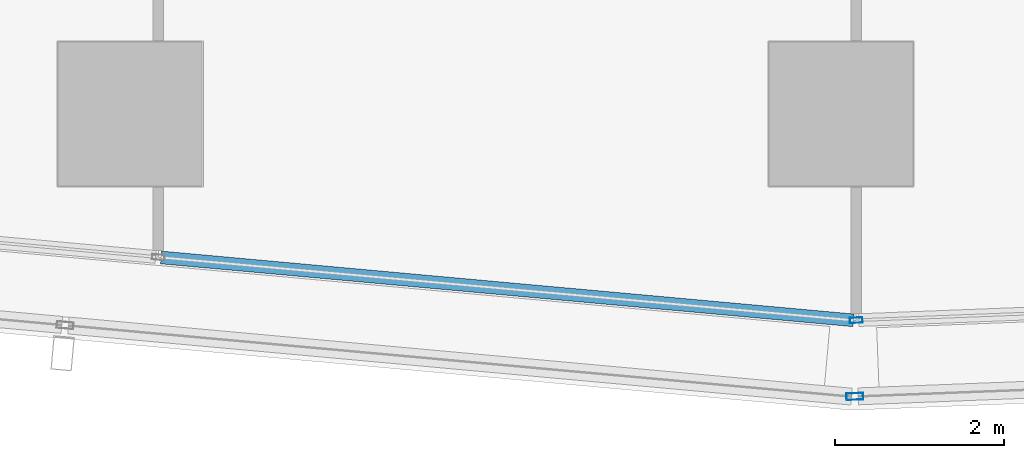
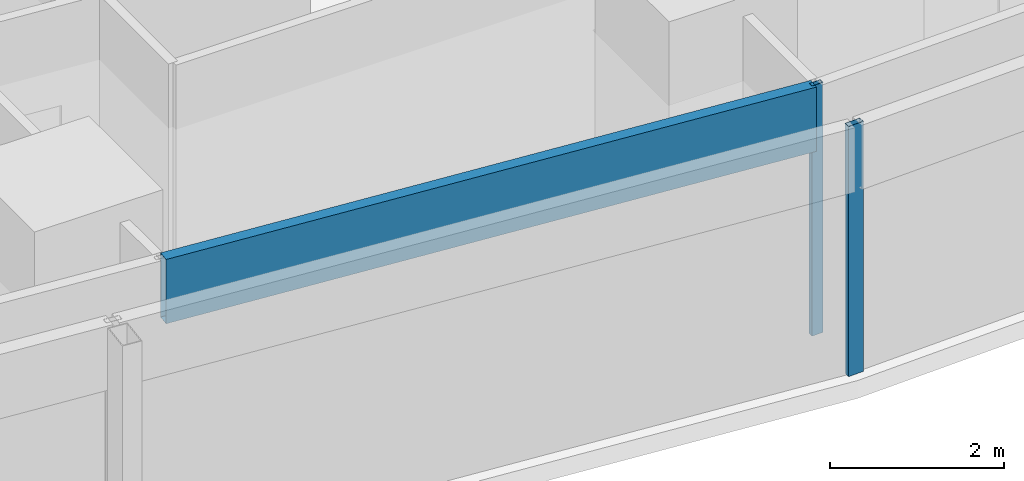
# One storey, part 5 of 40: 3 members, 3 elements without a shape of their own.
"""IFC4 building model written with IfcOpenShell, lengths in metres."""

from ifc_helpers import new_model, si_unit, direction, frame, origin, origin_2d, place, context, subcontext, project, spatial, hollow_rectangle, extrude, material, material_profile, profile_set, type_object, element, aggregate, save


model = new_model("IFC4")

# Units and contexts
model_context = context("Model", 3, precision=1e-05, world=origin(), true_north=direction((0.0, 1.0)))
body_context = subcontext(model_context, "Body", "Model", "MODEL_VIEW")
ifc_project = project(units=[si_unit("LENGTHUNIT", "METRE"), si_unit("AREAUNIT", "SQUARE_METRE"), si_unit("VOLUMEUNIT", "CUBIC_METRE"), si_unit("PLANEANGLEUNIT", "RADIAN"), si_unit("MASSUNIT", "GRAM", prefix="KILO")], contexts=[model_context])

# Site, building, storey
site_placement = place(None, origin())
site = spatial("IfcSite", under=ifc_project, at=site_placement, CompositionType="ELEMENT")
building_placement = place(site_placement, origin())
building = spatial("IfcBuilding", under=site, at=building_placement, Name="Rekha Terrace Tower", CompositionType="ELEMENT")
storey_placement = place(building_placement, frame((0.0, 0.0, 136.550048828125)))
storey = spatial("IfcBuildingStorey", under=building, at=storey_placement, Name="L34", CompositionType="ELEMENT", Elevation=136.550048828125)

# Curtain wall, member
ifc_material_1 = material(Name="Aluminium framing", Category="aluminium")
curtain_wall_type_1 = type_object("IfcCurtainWallType", Name="CW1 double skin inner glazing", PredefinedType="USERDEFINED", material=ifc_material_1)
curtain_wall_1_placement = place(storey_placement, origin())
curtain_wall_1 = element("IfcCurtainWall", 1, at=curtain_wall_1_placement, inside=storey, type_object=curtain_wall_type_1, Name="CW1 double skin inner glazing", ObjectType="DOUBLE SKIN INNER GLAZING", PredefinedType="USERDEFINED")
ifc_material_2 = material(Name="Aluminium mullion section", Category="aluminium")
ifc_material_profile_1 = material_profile(ifc_material_2, hollow_rectangle(XDim=0.06494140625, YDim=0.14990234375, WallThickness=0.00390625, at=origin_2d()), Name="AL RHS 65x150")
ifc_profile_set_1 = profile_set([ifc_material_profile_1], Name="Aluminium mullion section")
member_type_1 = type_object("IfcMemberType", Name="CW1 mullion RHS 65 x 150", PredefinedType="MULLION", material=ifc_profile_set_1)
member_1_placement = place(storey_placement, frame((25.3798828125, 14.363037109375, 0.0), z_axis=(0.0, 0.0, 1.0), x_axis=(-0.038889971345, 0.999243498917, 0.0)))
member_1 = element("IfcMember", 2, at=member_1_placement, type_object=member_type_1, Name="CW1 mullion 1", PredefinedType="MULLION", context=body_context, shape_type="SweptSolid", body=[
    extrude(hollow_rectangle(XDim=0.06494140625, YDim=0.14990234375, WallThickness=0.00390625, at=origin_2d()), origin(), (0.0, 0.0, 1.0), 3.5),
])
aggregate(curtain_wall_1, [member_1])

curtain_wall_2_placement = place(storey_placement, origin())
curtain_wall_2 = element("IfcCurtainWall", 3, at=curtain_wall_2_placement, inside=storey, type_object=curtain_wall_type_1, Name="CW1 double skin inner glazing", ObjectType="DOUBLE SKIN INNER GLAZING", PredefinedType="USERDEFINED")
ifc_material_3 = material(Name="Insulated aluminium spandrel box", Category="aluminium")
ifc_material_profile_2 = material_profile(ifc_material_3, hollow_rectangle(XDim=0.14990234375, YDim=0.89990234375, WallThickness=0.0029296875, at=origin_2d()), Name="AL SPANDREL BOX 150x900")
ifc_profile_set_2 = profile_set([ifc_material_profile_2], Name="Insulated aluminium spandrel box")
member_type_2 = type_object("IfcMemberType", Name="CW1 spandrel transom 150 x 900", PredefinedType="USERDEFINED", material=ifc_profile_set_2)
member_2_placement = place(storey_placement, frame((17.16650390625, 15.104736328125, 3.050048828125), z_axis=(0.995901971759, -0.090439276017, 0.0), x_axis=(0.090439276017, 0.995901971759, 0.0)))
member_2 = element("IfcMember", 4, at=member_2_placement, type_object=member_type_2, Name="CW1 spandrel transom 2", ObjectType="TRANSOM", PredefinedType="USERDEFINED", context=body_context, shape_type="SweptSolid", body=[
    extrude(hollow_rectangle(XDim=0.14990234375, YDim=0.89990234375, WallThickness=0.0029296875, at=origin_2d()), origin(), (0.0, 0.0, 1.0), 8.214599609375),
])
aggregate(curtain_wall_2, [member_2])

curtain_wall_type_2 = type_object("IfcCurtainWallType", Name="CW2 double skin outer glazing", PredefinedType="USERDEFINED", material=ifc_material_1)
curtain_wall_3_placement = place(storey_placement, origin())
curtain_wall_3 = element("IfcCurtainWall", 5, at=curtain_wall_3_placement, inside=storey, type_object=curtain_wall_type_2, Name="CW2 double skin outer glazing", ObjectType="DOUBLE SKIN OUTER GLAZING", PredefinedType="USERDEFINED")
ifc_material_profile_3 = material_profile(ifc_material_2, hollow_rectangle(XDim=0.080078125, YDim=0.199951171875, WallThickness=0.00390625, at=origin_2d()), Name="AL RHS 80x200")
ifc_profile_set_3 = profile_set([ifc_material_profile_3], Name="Aluminium mullion section")
member_type_3 = type_object("IfcMemberType", Name="CW2 mullion RHS 80 x 200", PredefinedType="MULLION", material=ifc_profile_set_3)
member_3_placement = place(storey_placement, frame((25.364013671875, 13.4619140625, 0.0), z_axis=(0.0, 0.0, 1.0), x_axis=(-0.038889971345, 0.999243498917, 0.0)))
member_3 = element("IfcMember", 6, at=member_3_placement, type_object=member_type_3, Name="CW2 mullion 1", PredefinedType="MULLION", context=body_context, shape_type="SweptSolid", body=[
    extrude(hollow_rectangle(XDim=0.080078125, YDim=0.199951171875, WallThickness=0.00390625, at=origin_2d()), origin(), (0.0, 0.0, 1.0), 3.5),
])
aggregate(curtain_wall_3, [member_3])

save(model, "model.ifc")
